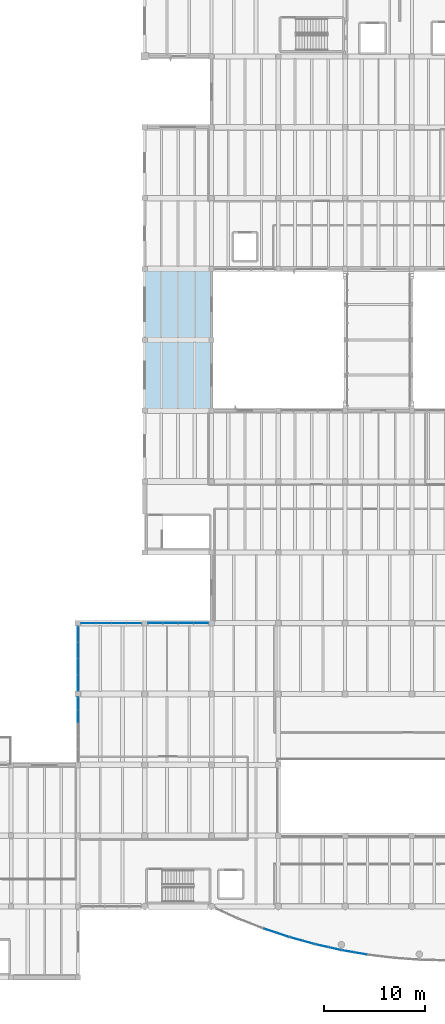
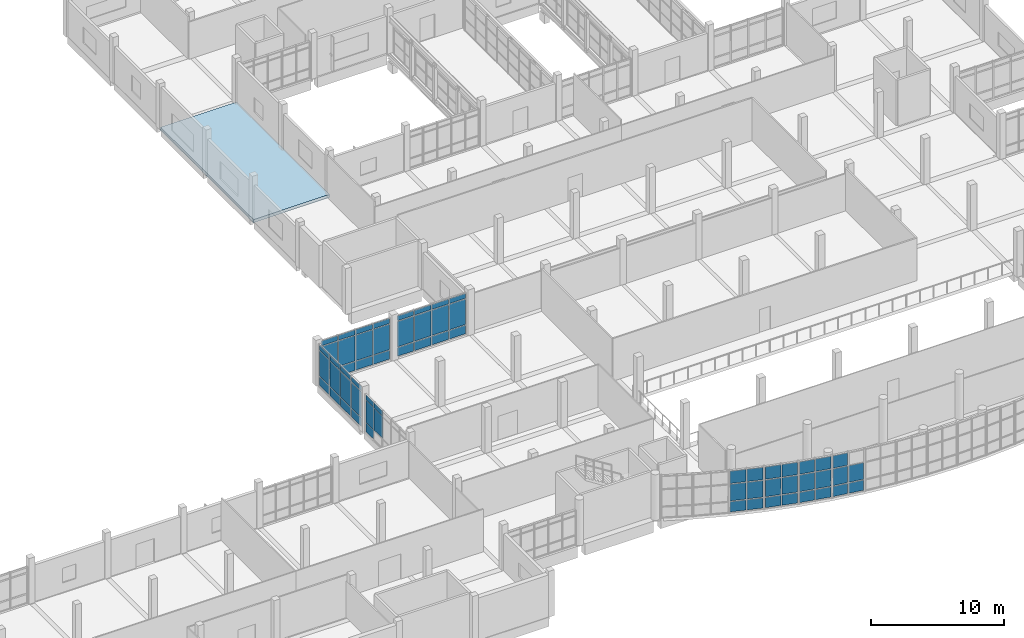
# One storey, part 36 of 65: 64 plates, 1 slab, 8 elements without a shape of their own.
"""IFC4 building model written with IfcOpenShell, lengths in metres."""

from ifc_helpers import new_model, si_unit, direction, frame, origin, origin_2d, place, context, subcontext, project, spatial, polyline, rectangle, outline, extrude, material, layer, layer_set, type_object, element, aggregate, save


model = new_model("IFC4")

# Units and contexts
model_context = context("Model", 3, precision=1e-05, world=origin(), true_north=direction((0.0, 1.0)))
body_context = subcontext(model_context, "Body", "Model", "MODEL_VIEW")
ifc_project = project(units=[si_unit("LENGTHUNIT", "METRE"), si_unit("AREAUNIT", "SQUARE_METRE"), si_unit("VOLUMEUNIT", "CUBIC_METRE"), si_unit("PLANEANGLEUNIT", "RADIAN"), si_unit("MASSUNIT", "GRAM", prefix="KILO")], contexts=[model_context])

# Site, building, storey
site_placement = place(None, origin())
site = spatial("IfcSite", under=ifc_project, at=site_placement, CompositionType="ELEMENT")
building_placement = place(site_placement, origin())
building = spatial("IfcBuilding", under=site, at=building_placement, Name="Ciguamira Faculty of Natural Sciences", CompositionType="ELEMENT")
storey_placement = place(building_placement, frame((0.0, 0.0, 12.60009765625)))
storey = spatial("IfcBuildingStorey", under=building, at=storey_placement, Name="L03", CompositionType="ELEMENT", Elevation=12.60009765625)

# Curtain wall, plates
ifc_material_1 = material(Name="Anodized aluminium curtain wall", Category="aluminium")
curtain_wall_type_1 = type_object("IfcCurtainWallType", Name="CurtainWall_CW-01", PredefinedType="USERDEFINED", material=ifc_material_1)
curtain_wall_1_placement = place(storey_placement, origin())
curtain_wall_1 = element("IfcCurtainWall", 1, at=curtain_wall_1_placement, inside=storey, type_object=curtain_wall_type_1, Name="L03 unitised curtain wall 0085", ObjectType="UNITISED CURTAIN WALL", PredefinedType="USERDEFINED")
ifc_material_2 = material(Name="Low-E laminated solar glass", Category="glass")
ifc_layer_1 = layer(ifc_material_2, 0.028076171875, Name="Low-E laminated solar glass")
ifc_layer_set_1 = layer_set([ifc_layer_1], Name="Low-E laminated solar glass")
plate_type_1 = type_object("IfcPlateType", Name="CWPanel_CWP-01", PredefinedType="CURTAIN_PANEL", material=ifc_layer_set_1)
plate_1_placement = place(storey_placement, frame((51.746337890625, 38.0, 0.059814453125), z_axis=(0.0, 0.0, 1.0), x_axis=(1.0, 0.0, 0.0)))
plate_1 = element("IfcPlate", 2, at=plate_1_placement, type_object=plate_type_1, Name="CW-01 panel 1.1", PredefinedType="CURTAIN_PANEL", context=body_context, shape_type="SweptSolid", body=[
    extrude(rectangle(XDim=1.422607421875, YDim=0.028076171875, at=origin_2d()), origin(), (0.0, 0.0, 1.0), 0.81005859375),
])
plate_2_placement = place(storey_placement, frame((51.746337890625, 38.0, 0.9296875), z_axis=(0.0, 0.0, 1.0), x_axis=(1.0, 0.0, 0.0)))
plate_2 = element("IfcPlate", 3, at=plate_2_placement, type_object=plate_type_1, Name="CW-01 panel 1.2", PredefinedType="CURTAIN_PANEL", context=body_context, shape_type="SweptSolid", body=[
    extrude(rectangle(XDim=1.422607421875, YDim=0.028076171875, at=origin_2d()), origin(), (0.0, 0.0, 1.0), 2.340087890625),
])
plate_3_placement = place(storey_placement, frame((51.746337890625, 38.0, 3.329833984375), z_axis=(0.0, 0.0, 1.0), x_axis=(1.0, 0.0, 0.0)))
plate_3 = element("IfcPlate", 4, at=plate_3_placement, type_object=plate_type_1, Name="CW-01 panel 1.3", PredefinedType="CURTAIN_PANEL", context=body_context, shape_type="SweptSolid", body=[
    extrude(rectangle(XDim=1.422607421875, YDim=0.028076171875, at=origin_2d()), origin(), (0.0, 0.0, 1.0), 0.4599609375),
])
plate_4_placement = place(storey_placement, frame((53.24365234375, 38.0, 0.059814453125), z_axis=(0.0, 0.0, 1.0), x_axis=(1.0, 0.0, 0.0)))
plate_4 = element("IfcPlate", 5, at=plate_4_placement, type_object=plate_type_1, Name="CW-01 panel 2.1", PredefinedType="CURTAIN_PANEL", context=body_context, shape_type="SweptSolid", body=[
    extrude(rectangle(XDim=1.452392578125, YDim=0.028076171875, at=origin_2d()), origin(), (0.0, 0.0, 1.0), 0.81005859375),
])
plate_5_placement = place(storey_placement, frame((53.24365234375, 38.0, 0.9296875), z_axis=(0.0, 0.0, 1.0), x_axis=(1.0, 0.0, 0.0)))
plate_5 = element("IfcPlate", 6, at=plate_5_placement, type_object=plate_type_1, Name="CW-01 panel 2.2", PredefinedType="CURTAIN_PANEL", context=body_context, shape_type="SweptSolid", body=[
    extrude(rectangle(XDim=1.452392578125, YDim=0.028076171875, at=origin_2d()), origin(), (0.0, 0.0, 1.0), 2.340087890625),
])
plate_6_placement = place(storey_placement, frame((53.24365234375, 38.0, 3.329833984375), z_axis=(0.0, 0.0, 1.0), x_axis=(1.0, 0.0, 0.0)))
plate_6 = element("IfcPlate", 7, at=plate_6_placement, type_object=plate_type_1, Name="CW-01 panel 2.3", PredefinedType="CURTAIN_PANEL", context=body_context, shape_type="SweptSolid", body=[
    extrude(rectangle(XDim=1.452392578125, YDim=0.028076171875, at=origin_2d()), origin(), (0.0, 0.0, 1.0), 0.4599609375),
])
plate_7_placement = place(storey_placement, frame((54.75634765625, 38.0, 0.059814453125), z_axis=(0.0, 0.0, 1.0), x_axis=(1.0, 0.0, 0.0)))
plate_7 = element("IfcPlate", 8, at=plate_7_placement, type_object=plate_type_1, Name="CW-01 panel 3.1", PredefinedType="CURTAIN_PANEL", context=body_context, shape_type="SweptSolid", body=[
    extrude(rectangle(XDim=1.452392578125, YDim=0.028076171875, at=origin_2d()), origin(), (0.0, 0.0, 1.0), 0.81005859375),
])
plate_8_placement = place(storey_placement, frame((54.75634765625, 38.0, 0.9296875), z_axis=(0.0, 0.0, 1.0), x_axis=(1.0, 0.0, 0.0)))
plate_8 = element("IfcPlate", 9, at=plate_8_placement, type_object=plate_type_1, Name="CW-01 panel 3.2", PredefinedType="CURTAIN_PANEL", context=body_context, shape_type="SweptSolid", body=[
    extrude(rectangle(XDim=1.452392578125, YDim=0.028076171875, at=origin_2d()), origin(), (0.0, 0.0, 1.0), 2.340087890625),
])
plate_9_placement = place(storey_placement, frame((54.75634765625, 38.0, 3.329833984375), z_axis=(0.0, 0.0, 1.0), x_axis=(1.0, 0.0, 0.0)))
plate_9 = element("IfcPlate", 10, at=plate_9_placement, type_object=plate_type_1, Name="CW-01 panel 3.3", PredefinedType="CURTAIN_PANEL", context=body_context, shape_type="SweptSolid", body=[
    extrude(rectangle(XDim=1.452392578125, YDim=0.028076171875, at=origin_2d()), origin(), (0.0, 0.0, 1.0), 0.4599609375),
])
plate_10_placement = place(storey_placement, frame((56.253662109375, 38.0, 0.059814453125), z_axis=(0.0, 0.0, 1.0), x_axis=(1.0, 0.0, 0.0)))
plate_10 = element("IfcPlate", 11, at=plate_10_placement, type_object=plate_type_1, Name="CW-01 panel 4.1", PredefinedType="CURTAIN_PANEL", context=body_context, shape_type="SweptSolid", body=[
    extrude(rectangle(XDim=1.422607421875, YDim=0.028076171875, at=origin_2d()), origin(), (0.0, 0.0, 1.0), 0.81005859375),
])
plate_11_placement = place(storey_placement, frame((56.253662109375, 38.0, 0.9296875), z_axis=(0.0, 0.0, 1.0), x_axis=(1.0, 0.0, 0.0)))
plate_11 = element("IfcPlate", 12, at=plate_11_placement, type_object=plate_type_1, Name="CW-01 panel 4.2", PredefinedType="CURTAIN_PANEL", context=body_context, shape_type="SweptSolid", body=[
    extrude(rectangle(XDim=1.422607421875, YDim=0.028076171875, at=origin_2d()), origin(), (0.0, 0.0, 1.0), 2.340087890625),
])
plate_12_placement = place(storey_placement, frame((56.253662109375, 38.0, 3.329833984375), z_axis=(0.0, 0.0, 1.0), x_axis=(1.0, 0.0, 0.0)))
plate_12 = element("IfcPlate", 13, at=plate_12_placement, type_object=plate_type_1, Name="CW-01 panel 4.3", PredefinedType="CURTAIN_PANEL", context=body_context, shape_type="SweptSolid", body=[
    extrude(rectangle(XDim=1.422607421875, YDim=0.028076171875, at=origin_2d()), origin(), (0.0, 0.0, 1.0), 0.4599609375),
])
aggregate(curtain_wall_1, [plate_1, plate_2, plate_3, plate_4, plate_5, plate_6, plate_7, plate_8, plate_9, plate_10, plate_11, plate_12])

curtain_wall_type_2 = type_object("IfcCurtainWallType", Name="CurtainWall_CW-05", PredefinedType="USERDEFINED", material=ifc_material_1)
curtain_wall_2_placement = place(storey_placement, origin())
curtain_wall_2 = element("IfcCurtainWall", 14, at=curtain_wall_2_placement, inside=storey, type_object=curtain_wall_type_2, Name="L03 unitised curtain wall 0101", ObjectType="UNITISED CURTAIN WALL", PredefinedType="USERDEFINED")
plate_13_placement = place(storey_placement, frame((50.699951171875, 32.0986328125, 0.06982421875), z_axis=(0.0, 0.0, 1.0), x_axis=(0.0, 1.0, 0.0)))
plate_13 = element("IfcPlate", 15, at=plate_13_placement, type_object=plate_type_1, Name="CW-05 panel 1.1", PredefinedType="CURTAIN_PANEL", context=body_context, shape_type="SweptSolid", body=[
    extrude(rectangle(XDim=1.507568359375, YDim=0.028076171875, at=origin_2d()), origin(), (0.0, 0.0, 1.0), 0.794921875),
])
plate_14_placement = place(storey_placement, frame((50.699951171875, 32.0986328125, 0.934814453125), z_axis=(0.0, 0.0, 1.0), x_axis=(0.0, 1.0, 0.0)))
plate_14 = element("IfcPlate", 16, at=plate_14_placement, type_object=plate_type_1, Name="CW-05 panel 1.2", PredefinedType="CURTAIN_PANEL", context=body_context, shape_type="SweptSolid", body=[
    extrude(rectangle(XDim=1.507568359375, YDim=0.028076171875, at=origin_2d()), origin(), (0.0, 0.0, 1.0), 2.330078125),
])
plate_15_placement = place(storey_placement, frame((50.699951171875, 32.0986328125, 3.3349609375), z_axis=(0.0, 0.0, 1.0), x_axis=(0.0, 1.0, 0.0)))
plate_15 = element("IfcPlate", 17, at=plate_15_placement, type_object=plate_type_1, Name="CW-05 panel 1.3", PredefinedType="CURTAIN_PANEL", context=body_context, shape_type="SweptSolid", body=[
    extrude(rectangle(XDim=1.507568359375, YDim=0.028076171875, at=origin_2d()), origin(), (0.0, 0.0, 1.0), 0.445068359375),
])
plate_16_placement = place(storey_placement, frame((50.699951171875, 33.69384765625, 0.06982421875), z_axis=(0.0, 0.0, 1.0), x_axis=(0.0, 1.0, 0.0)))
plate_16 = element("IfcPlate", 18, at=plate_16_placement, type_object=plate_type_1, Name="CW-05 panel 2.1", PredefinedType="CURTAIN_PANEL", context=body_context, shape_type="SweptSolid", body=[
    extrude(rectangle(XDim=1.54248046875, YDim=0.028076171875, at=origin_2d()), origin(), (0.0, 0.0, 1.0), 0.794921875),
])
plate_17_placement = place(storey_placement, frame((50.699951171875, 33.69384765625, 0.934814453125), z_axis=(0.0, 0.0, 1.0), x_axis=(0.0, 1.0, 0.0)))
plate_17 = element("IfcPlate", 19, at=plate_17_placement, type_object=plate_type_1, Name="CW-05 panel 2.2", PredefinedType="CURTAIN_PANEL", context=body_context, shape_type="SweptSolid", body=[
    extrude(rectangle(XDim=1.54248046875, YDim=0.028076171875, at=origin_2d()), origin(), (0.0, 0.0, 1.0), 2.330078125),
])
plate_18_placement = place(storey_placement, frame((50.699951171875, 33.69384765625, 3.3349609375), z_axis=(0.0, 0.0, 1.0), x_axis=(0.0, 1.0, 0.0)))
plate_18 = element("IfcPlate", 20, at=plate_18_placement, type_object=plate_type_1, Name="CW-05 panel 2.3", PredefinedType="CURTAIN_PANEL", context=body_context, shape_type="SweptSolid", body=[
    extrude(rectangle(XDim=1.54248046875, YDim=0.028076171875, at=origin_2d()), origin(), (0.0, 0.0, 1.0), 0.445068359375),
])
plate_19_placement = place(storey_placement, frame((50.699951171875, 35.30615234375, 0.06982421875), z_axis=(0.0, 0.0, 1.0), x_axis=(0.0, 1.0, 0.0)))
plate_19 = element("IfcPlate", 21, at=plate_19_placement, type_object=plate_type_1, Name="CW-05 panel 3.1", PredefinedType="CURTAIN_PANEL", context=body_context, shape_type="SweptSolid", body=[
    extrude(rectangle(XDim=1.54248046875, YDim=0.028076171875, at=origin_2d()), origin(), (0.0, 0.0, 1.0), 0.794921875),
])
plate_20_placement = place(storey_placement, frame((50.699951171875, 35.30615234375, 0.934814453125), z_axis=(0.0, 0.0, 1.0), x_axis=(0.0, 1.0, 0.0)))
plate_20 = element("IfcPlate", 22, at=plate_20_placement, type_object=plate_type_1, Name="CW-05 panel 3.2", PredefinedType="CURTAIN_PANEL", context=body_context, shape_type="SweptSolid", body=[
    extrude(rectangle(XDim=1.54248046875, YDim=0.028076171875, at=origin_2d()), origin(), (0.0, 0.0, 1.0), 2.330078125),
])
plate_21_placement = place(storey_placement, frame((50.699951171875, 35.30615234375, 3.3349609375), z_axis=(0.0, 0.0, 1.0), x_axis=(0.0, 1.0, 0.0)))
plate_21 = element("IfcPlate", 23, at=plate_21_placement, type_object=plate_type_1, Name="CW-05 panel 3.3", PredefinedType="CURTAIN_PANEL", context=body_context, shape_type="SweptSolid", body=[
    extrude(rectangle(XDim=1.54248046875, YDim=0.028076171875, at=origin_2d()), origin(), (0.0, 0.0, 1.0), 0.445068359375),
])
plate_22_placement = place(storey_placement, frame((50.699951171875, 36.9013671875, 0.06982421875), z_axis=(0.0, 0.0, 1.0), x_axis=(0.0, 1.0, 0.0)))
plate_22 = element("IfcPlate", 24, at=plate_22_placement, type_object=plate_type_1, Name="CW-05 panel 4.1", PredefinedType="CURTAIN_PANEL", context=body_context, shape_type="SweptSolid", body=[
    extrude(rectangle(XDim=1.507568359375, YDim=0.028076171875, at=origin_2d()), origin(), (0.0, 0.0, 1.0), 0.794921875),
])
plate_23_placement = place(storey_placement, frame((50.699951171875, 36.9013671875, 0.934814453125), z_axis=(0.0, 0.0, 1.0), x_axis=(0.0, 1.0, 0.0)))
plate_23 = element("IfcPlate", 25, at=plate_23_placement, type_object=plate_type_1, Name="CW-05 panel 4.2", PredefinedType="CURTAIN_PANEL", context=body_context, shape_type="SweptSolid", body=[
    extrude(rectangle(XDim=1.507568359375, YDim=0.028076171875, at=origin_2d()), origin(), (0.0, 0.0, 1.0), 2.330078125),
])
plate_24_placement = place(storey_placement, frame((50.699951171875, 36.9013671875, 3.3349609375), z_axis=(0.0, 0.0, 1.0), x_axis=(0.0, 1.0, 0.0)))
plate_24 = element("IfcPlate", 26, at=plate_24_placement, type_object=plate_type_1, Name="CW-05 panel 4.3", PredefinedType="CURTAIN_PANEL", context=body_context, shape_type="SweptSolid", body=[
    extrude(rectangle(XDim=1.507568359375, YDim=0.028076171875, at=origin_2d()), origin(), (0.0, 0.0, 1.0), 0.445068359375),
])
aggregate(curtain_wall_2, [plate_13, plate_14, plate_15, plate_16, plate_17, plate_18, plate_19, plate_20, plate_21, plate_22, plate_23, plate_24])

curtain_wall_type_3 = type_object("IfcCurtainWallType", Name="CurtainWall_CW-02", PredefinedType="USERDEFINED", material=ifc_material_1)
curtain_wall_3_placement = place(storey_placement, origin())
curtain_wall_3 = element("IfcCurtainWall", 27, at=curtain_wall_3_placement, inside=storey, type_object=curtain_wall_type_3, Name="L03 south gallery curved curtain wall 03", ObjectType="UNITISED CURTAIN WALL", PredefinedType="USERDEFINED")
plate_25_placement = place(storey_placement, frame((69.69384765625, 7.609619140625, 0.080078125), z_axis=(0.0, 0.0, 1.0), x_axis=(0.948735033862, -0.316072516242, 0.0)))
plate_25 = element("IfcPlate", 28, at=plate_25_placement, type_object=plate_type_1, Name="CW-02 panel 1.1", PredefinedType="CURTAIN_PANEL", context=body_context, shape_type="SweptSolid", body=[
    extrude(rectangle(XDim=1.232666015625, YDim=0.028076171875, at=origin_2d()), origin(), (0.0, 0.0, 1.0), 0.929931640625),
])
plate_26_placement = place(storey_placement, frame((69.69384765625, 7.609619140625, 1.08984375), z_axis=(0.0, 0.0, 1.0), x_axis=(0.948735033862, -0.316072516242, 0.0)))
plate_26 = element("IfcPlate", 29, at=plate_26_placement, type_object=plate_type_1, Name="CW-02 panel 1.2", PredefinedType="CURTAIN_PANEL", context=body_context, shape_type="SweptSolid", body=[
    extrude(rectangle(XDim=1.232666015625, YDim=0.028076171875, at=origin_2d()), origin(), (0.0, 0.0, 1.0), 1.52001953125),
])
plate_27_placement = place(storey_placement, frame((69.69384765625, 7.609619140625, 2.68994140625), z_axis=(0.0, 0.0, 1.0), x_axis=(0.948735033862, -0.316072516242, 0.0)))
plate_27 = element("IfcPlate", 30, at=plate_27_placement, type_object=plate_type_1, Name="CW-02 panel 1.3", PredefinedType="CURTAIN_PANEL", context=body_context, shape_type="SweptSolid", body=[
    extrude(rectangle(XDim=1.232666015625, YDim=0.028076171875, at=origin_2d()), origin(), (0.0, 0.0, 1.0), 1.1298828125),
])
plate_28_placement = place(storey_placement, frame((70.939453125, 7.194580078125, 0.080078125), z_axis=(0.0, 0.0, 1.0), x_axis=(0.948735033862, -0.316072516242, 0.0)))
plate_28 = element("IfcPlate", 31, at=plate_28_placement, type_object=plate_type_1, Name="CW-02 panel 2.1", PredefinedType="CURTAIN_PANEL", context=body_context, shape_type="SweptSolid", body=[
    extrude(rectangle(XDim=1.232666015625, YDim=0.028076171875, at=origin_2d()), origin(), (0.0, 0.0, 1.0), 0.929931640625),
])
plate_29_placement = place(storey_placement, frame((70.939453125, 7.194580078125, 1.08984375), z_axis=(0.0, 0.0, 1.0), x_axis=(0.948735033862, -0.316072516242, 0.0)))
plate_29 = element("IfcPlate", 32, at=plate_29_placement, type_object=plate_type_1, Name="CW-02 panel 2.2", PredefinedType="CURTAIN_PANEL", context=body_context, shape_type="SweptSolid", body=[
    extrude(rectangle(XDim=1.232666015625, YDim=0.028076171875, at=origin_2d()), origin(), (0.0, 0.0, 1.0), 1.52001953125),
])
plate_30_placement = place(storey_placement, frame((70.939453125, 7.194580078125, 2.68994140625), z_axis=(0.0, 0.0, 1.0), x_axis=(0.948735033862, -0.316072516242, 0.0)))
plate_30 = element("IfcPlate", 33, at=plate_30_placement, type_object=plate_type_1, Name="CW-02 panel 2.3", PredefinedType="CURTAIN_PANEL", context=body_context, shape_type="SweptSolid", body=[
    extrude(rectangle(XDim=1.232666015625, YDim=0.028076171875, at=origin_2d()), origin(), (0.0, 0.0, 1.0), 1.1298828125),
])
aggregate(curtain_wall_3, [plate_25, plate_26, plate_27, plate_28, plate_29, plate_30])

curtain_wall_type_4 = type_object("IfcCurtainWallType", Name="CurtainWall_CW-03", PredefinedType="USERDEFINED", material=ifc_material_1)
curtain_wall_4_placement = place(storey_placement, origin())
curtain_wall_4 = element("IfcCurtainWall", 34, at=curtain_wall_4_placement, inside=storey, type_object=curtain_wall_type_4, Name="L03 south gallery curved curtain wall 04", ObjectType="UNITISED CURTAIN WALL", PredefinedType="USERDEFINED")
plate_31_placement = place(storey_placement, frame((72.260986328125, 6.791015625, 0.080078125), z_axis=(0.0, 0.0, 1.0), x_axis=(0.963573286652, -0.267444426472, 0.0)))
plate_31 = element("IfcPlate", 35, at=plate_31_placement, type_object=plate_type_1, Name="CW-03 panel 1.1", PredefinedType="CURTAIN_PANEL", context=body_context, shape_type="SweptSolid", body=[
    extrude(rectangle(XDim=1.2119140625, YDim=0.028076171875, at=origin_2d()), origin(), (0.0, 0.0, 1.0), 0.929931640625),
])
plate_32_placement = place(storey_placement, frame((72.260986328125, 6.791015625, 1.08984375), z_axis=(0.0, 0.0, 1.0), x_axis=(0.963573286652, -0.267444426472, 0.0)))
plate_32 = element("IfcPlate", 36, at=plate_32_placement, type_object=plate_type_1, Name="CW-03 panel 1.2", PredefinedType="CURTAIN_PANEL", context=body_context, shape_type="SweptSolid", body=[
    extrude(rectangle(XDim=1.2119140625, YDim=0.028076171875, at=origin_2d()), origin(), (0.0, 0.0, 1.0), 1.52001953125),
])
plate_33_placement = place(storey_placement, frame((72.260986328125, 6.791015625, 2.68994140625), z_axis=(0.0, 0.0, 1.0), x_axis=(0.963573286652, -0.267444426472, 0.0)))
plate_33 = element("IfcPlate", 37, at=plate_33_placement, type_object=plate_type_1, Name="CW-03 panel 1.3", PredefinedType="CURTAIN_PANEL", context=body_context, shape_type="SweptSolid", body=[
    extrude(rectangle(XDim=1.2119140625, YDim=0.028076171875, at=origin_2d()), origin(), (0.0, 0.0, 1.0), 1.1298828125),
])
plate_34_placement = place(storey_placement, frame((73.505859375, 6.445556640625, 0.080078125), z_axis=(0.0, 0.0, 1.0), x_axis=(0.963573286652, -0.267444426472, 0.0)))
plate_34 = element("IfcPlate", 38, at=plate_34_placement, type_object=plate_type_1, Name="CW-03 panel 2.1", PredefinedType="CURTAIN_PANEL", context=body_context, shape_type="SweptSolid", body=[
    extrude(rectangle(XDim=1.2119140625, YDim=0.028076171875, at=origin_2d()), origin(), (0.0, 0.0, 1.0), 0.929931640625),
])
plate_35_placement = place(storey_placement, frame((73.505859375, 6.445556640625, 1.08984375), z_axis=(0.0, 0.0, 1.0), x_axis=(0.963573286652, -0.267444426472, 0.0)))
plate_35 = element("IfcPlate", 39, at=plate_35_placement, type_object=plate_type_1, Name="CW-03 panel 2.2", PredefinedType="CURTAIN_PANEL", context=body_context, shape_type="SweptSolid", body=[
    extrude(rectangle(XDim=1.2119140625, YDim=0.028076171875, at=origin_2d()), origin(), (0.0, 0.0, 1.0), 1.52001953125),
])
plate_36_placement = place(storey_placement, frame((73.505859375, 6.445556640625, 2.68994140625), z_axis=(0.0, 0.0, 1.0), x_axis=(0.963573286652, -0.267444426472, 0.0)))
plate_36 = element("IfcPlate", 40, at=plate_36_placement, type_object=plate_type_1, Name="CW-03 panel 2.3", PredefinedType="CURTAIN_PANEL", context=body_context, shape_type="SweptSolid", body=[
    extrude(rectangle(XDim=1.2119140625, YDim=0.028076171875, at=origin_2d()), origin(), (0.0, 0.0, 1.0), 1.1298828125),
])
aggregate(curtain_wall_4, [plate_31, plate_32, plate_33, plate_34, plate_35, plate_36])

curtain_wall_type_5 = type_object("IfcCurtainWallType", Name="CurtainWall_CW-04", PredefinedType="USERDEFINED", material=ifc_material_1)
curtain_wall_5_placement = place(storey_placement, origin())
curtain_wall_5 = element("IfcCurtainWall", 41, at=curtain_wall_5_placement, inside=storey, type_object=curtain_wall_type_5, Name="L03 south gallery curved curtain wall 05", ObjectType="UNITISED CURTAIN WALL", PredefinedType="USERDEFINED")
plate_37_placement = place(storey_placement, frame((74.827880859375, 6.11376953125, 0.080078125), z_axis=(0.0, 0.0, 1.0), x_axis=(0.975762990759, -0.218830038763, 0.0)))
plate_37 = element("IfcPlate", 42, at=plate_37_placement, type_object=plate_type_1, Name="CW-04 panel 1.1", PredefinedType="CURTAIN_PANEL", context=body_context, shape_type="SweptSolid", body=[
    extrude(rectangle(XDim=1.195068359375, YDim=0.028076171875, at=origin_2d()), origin(), (0.0, 0.0, 1.0), 0.929931640625),
])
plate_38_placement = place(storey_placement, frame((74.827880859375, 6.11376953125, 1.08984375), z_axis=(0.0, 0.0, 1.0), x_axis=(0.975762990759, -0.218830038763, 0.0)))
plate_38 = element("IfcPlate", 43, at=plate_38_placement, type_object=plate_type_1, Name="CW-04 panel 1.2", PredefinedType="CURTAIN_PANEL", context=body_context, shape_type="SweptSolid", body=[
    extrude(rectangle(XDim=1.195068359375, YDim=0.028076171875, at=origin_2d()), origin(), (0.0, 0.0, 1.0), 1.52001953125),
])
plate_39_placement = place(storey_placement, frame((74.827880859375, 6.11376953125, 2.68994140625), z_axis=(0.0, 0.0, 1.0), x_axis=(0.975762990759, -0.218830038763, 0.0)))
plate_39 = element("IfcPlate", 44, at=plate_39_placement, type_object=plate_type_1, Name="CW-04 panel 1.3", PredefinedType="CURTAIN_PANEL", context=body_context, shape_type="SweptSolid", body=[
    extrude(rectangle(XDim=1.195068359375, YDim=0.028076171875, at=origin_2d()), origin(), (0.0, 0.0, 1.0), 1.1298828125),
])
plate_40_placement = place(storey_placement, frame((76.072021484375, 5.834716796875, 0.080078125), z_axis=(0.0, 0.0, 1.0), x_axis=(0.975762990759, -0.218830038763, 0.0)))
plate_40 = element("IfcPlate", 45, at=plate_40_placement, type_object=plate_type_1, Name="CW-04 panel 2.1", PredefinedType="CURTAIN_PANEL", context=body_context, shape_type="SweptSolid", body=[
    extrude(rectangle(XDim=1.195068359375, YDim=0.028076171875, at=origin_2d()), origin(), (0.0, 0.0, 1.0), 0.929931640625),
])
plate_41_placement = place(storey_placement, frame((76.072021484375, 5.834716796875, 1.08984375), z_axis=(0.0, 0.0, 1.0), x_axis=(0.975762990759, -0.218830038763, 0.0)))
plate_41 = element("IfcPlate", 46, at=plate_41_placement, type_object=plate_type_1, Name="CW-04 panel 2.2", PredefinedType="CURTAIN_PANEL", context=body_context, shape_type="SweptSolid", body=[
    extrude(rectangle(XDim=1.195068359375, YDim=0.028076171875, at=origin_2d()), origin(), (0.0, 0.0, 1.0), 1.52001953125),
])
plate_42_placement = place(storey_placement, frame((76.072021484375, 5.834716796875, 2.68994140625), z_axis=(0.0, 0.0, 1.0), x_axis=(0.975762990759, -0.218830038763, 0.0)))
plate_42 = element("IfcPlate", 47, at=plate_42_placement, type_object=plate_type_1, Name="CW-04 panel 2.3", PredefinedType="CURTAIN_PANEL", context=body_context, shape_type="SweptSolid", body=[
    extrude(rectangle(XDim=1.195068359375, YDim=0.028076171875, at=origin_2d()), origin(), (0.0, 0.0, 1.0), 1.1298828125),
])
aggregate(curtain_wall_5, [plate_37, plate_38, plate_39, plate_40, plate_41, plate_42])

curtain_wall_6_placement = place(storey_placement, origin())
curtain_wall_6 = element("IfcCurtainWall", 48, at=curtain_wall_6_placement, inside=storey, type_object=curtain_wall_type_2, Name="L03 south gallery curved curtain wall 06", ObjectType="UNITISED CURTAIN WALL", PredefinedType="USERDEFINED")
plate_43_placement = place(storey_placement, frame((77.394775390625, 5.572265625, 0.080078125), z_axis=(0.0, 0.0, 1.0), x_axis=(0.985410865099, -0.170192323402, 0.0)))
plate_43 = element("IfcPlate", 49, at=plate_43_placement, type_object=plate_type_1, Name="CW-05 panel 1.1", PredefinedType="CURTAIN_PANEL", context=body_context, shape_type="SweptSolid", body=[
    extrude(rectangle(XDim=1.182373046875, YDim=0.028076171875, at=origin_2d()), origin(), (0.0, 0.0, 1.0), 0.929931640625),
])
plate_44_placement = place(storey_placement, frame((77.394775390625, 5.572265625, 1.08984375), z_axis=(0.0, 0.0, 1.0), x_axis=(0.985410865099, -0.170192323402, 0.0)))
plate_44 = element("IfcPlate", 50, at=plate_44_placement, type_object=plate_type_1, Name="CW-05 panel 1.2", PredefinedType="CURTAIN_PANEL", context=body_context, shape_type="SweptSolid", body=[
    extrude(rectangle(XDim=1.182373046875, YDim=0.028076171875, at=origin_2d()), origin(), (0.0, 0.0, 1.0), 1.52001953125),
])
plate_45_placement = place(storey_placement, frame((77.394775390625, 5.572265625, 2.68994140625), z_axis=(0.0, 0.0, 1.0), x_axis=(0.985410865099, -0.170192323402, 0.0)))
plate_45 = element("IfcPlate", 51, at=plate_45_placement, type_object=plate_type_1, Name="CW-05 panel 1.3", PredefinedType="CURTAIN_PANEL", context=body_context, shape_type="SweptSolid", body=[
    extrude(rectangle(XDim=1.182373046875, YDim=0.028076171875, at=origin_2d()), origin(), (0.0, 0.0, 1.0), 1.1298828125),
])
plate_46_placement = place(storey_placement, frame((78.638671875, 5.357421875, 0.080078125), z_axis=(0.0, 0.0, 1.0), x_axis=(0.985410865099, -0.170192323402, 0.0)))
plate_46 = element("IfcPlate", 52, at=plate_46_placement, type_object=plate_type_1, Name="CW-05 panel 2.1", PredefinedType="CURTAIN_PANEL", context=body_context, shape_type="SweptSolid", body=[
    extrude(rectangle(XDim=1.182373046875, YDim=0.028076171875, at=origin_2d()), origin(), (0.0, 0.0, 1.0), 0.929931640625),
])
plate_47_placement = place(storey_placement, frame((78.638671875, 5.357421875, 1.08984375), z_axis=(0.0, 0.0, 1.0), x_axis=(0.985410865099, -0.170192323402, 0.0)))
plate_47 = element("IfcPlate", 53, at=plate_47_placement, type_object=plate_type_1, Name="CW-05 panel 2.2", PredefinedType="CURTAIN_PANEL", context=body_context, shape_type="SweptSolid", body=[
    extrude(rectangle(XDim=1.182373046875, YDim=0.028076171875, at=origin_2d()), origin(), (0.0, 0.0, 1.0), 1.52001953125),
])
aggregate(curtain_wall_6, [plate_43, plate_44, plate_45, plate_46, plate_47])

curtain_wall_7_placement = place(storey_placement, origin())
curtain_wall_7 = element("IfcCurtainWall", 54, at=curtain_wall_7_placement, inside=storey, type_object=curtain_wall_type_3, Name="L03 unitised curtain wall 0086", ObjectType="UNITISED CURTAIN WALL", PredefinedType="USERDEFINED")
ifc_layer_2 = layer(ifc_material_2, 0.035888671875, Name="Low-E laminated solar glass")
ifc_layer_set_2 = layer_set([ifc_layer_2], Name="Low-E laminated solar glass")
plate_type_2 = type_object("IfcPlateType", Name="CWPanel_CWP-02", PredefinedType="CURTAIN_PANEL", material=ifc_layer_set_2)
plate_48_placement = place(storey_placement, frame((58.3486328125, 38.0, 0.06982421875), z_axis=(0.0, 0.0, 1.0), x_axis=(1.0, 0.0, 0.0)))
plate_48 = element("IfcPlate", 55, at=plate_48_placement, type_object=plate_type_2, Name="CW-02 panel 1.1", PredefinedType="CURTAIN_PANEL", context=body_context, shape_type="SweptSolid", body=[
    extrude(rectangle(XDim=1.407470703125, YDim=0.035888671875, at=origin_2d()), origin(), (0.0, 0.0, 1.0), 0.794921875),
])
plate_49_placement = place(storey_placement, frame((58.3486328125, 38.0, 0.934814453125), z_axis=(0.0, 0.0, 1.0), x_axis=(1.0, 0.0, 0.0)))
plate_49 = element("IfcPlate", 56, at=plate_49_placement, type_object=plate_type_2, Name="CW-02 panel 1.2", PredefinedType="CURTAIN_PANEL", context=body_context, shape_type="SweptSolid", body=[
    extrude(rectangle(XDim=1.407470703125, YDim=0.035888671875, at=origin_2d()), origin(), (0.0, 0.0, 1.0), 2.330078125),
])
plate_50_placement = place(storey_placement, frame((58.3486328125, 38.0, 3.3349609375), z_axis=(0.0, 0.0, 1.0), x_axis=(1.0, 0.0, 0.0)))
plate_50 = element("IfcPlate", 57, at=plate_50_placement, type_object=plate_type_2, Name="CW-02 panel 1.3", PredefinedType="CURTAIN_PANEL", context=body_context, shape_type="SweptSolid", body=[
    extrude(rectangle(XDim=1.407470703125, YDim=0.035888671875, at=origin_2d()), origin(), (0.0, 0.0, 1.0), 0.445068359375),
])
plate_51_placement = place(storey_placement, frame((59.84375, 38.0, 0.06982421875), z_axis=(0.0, 0.0, 1.0), x_axis=(1.0, 0.0, 0.0)))
plate_51 = element("IfcPlate", 58, at=plate_51_placement, type_object=plate_type_2, Name="CW-02 panel 2.1", PredefinedType="CURTAIN_PANEL", context=body_context, shape_type="SweptSolid", body=[
    extrude(rectangle(XDim=1.4423828125, YDim=0.035888671875, at=origin_2d()), origin(), (0.0, 0.0, 1.0), 0.794921875),
])
plate_52_placement = place(storey_placement, frame((59.84375, 38.0, 0.934814453125), z_axis=(0.0, 0.0, 1.0), x_axis=(1.0, 0.0, 0.0)))
plate_52 = element("IfcPlate", 59, at=plate_52_placement, type_object=plate_type_2, Name="CW-02 panel 2.2", PredefinedType="CURTAIN_PANEL", context=body_context, shape_type="SweptSolid", body=[
    extrude(rectangle(XDim=1.4423828125, YDim=0.035888671875, at=origin_2d()), origin(), (0.0, 0.0, 1.0), 2.330078125),
])
plate_53_placement = place(storey_placement, frame((59.84375, 38.0, 3.3349609375), z_axis=(0.0, 0.0, 1.0), x_axis=(1.0, 0.0, 0.0)))
plate_53 = element("IfcPlate", 60, at=plate_53_placement, type_object=plate_type_2, Name="CW-02 panel 2.3", PredefinedType="CURTAIN_PANEL", context=body_context, shape_type="SweptSolid", body=[
    extrude(rectangle(XDim=1.4423828125, YDim=0.035888671875, at=origin_2d()), origin(), (0.0, 0.0, 1.0), 0.445068359375),
])
plate_54_placement = place(storey_placement, frame((61.356201171875, 38.0, 0.06982421875), z_axis=(0.0, 0.0, 1.0), x_axis=(1.0, 0.0, 0.0)))
plate_54 = element("IfcPlate", 61, at=plate_54_placement, type_object=plate_type_2, Name="CW-02 panel 3.1", PredefinedType="CURTAIN_PANEL", context=body_context, shape_type="SweptSolid", body=[
    extrude(rectangle(XDim=1.4423828125, YDim=0.035888671875, at=origin_2d()), origin(), (0.0, 0.0, 1.0), 0.794921875),
])
plate_55_placement = place(storey_placement, frame((61.356201171875, 38.0, 0.934814453125), z_axis=(0.0, 0.0, 1.0), x_axis=(1.0, 0.0, 0.0)))
plate_55 = element("IfcPlate", 62, at=plate_55_placement, type_object=plate_type_2, Name="CW-02 panel 3.2", PredefinedType="CURTAIN_PANEL", context=body_context, shape_type="SweptSolid", body=[
    extrude(rectangle(XDim=1.4423828125, YDim=0.035888671875, at=origin_2d()), origin(), (0.0, 0.0, 1.0), 2.330078125),
])
plate_56_placement = place(storey_placement, frame((61.356201171875, 38.0, 3.3349609375), z_axis=(0.0, 0.0, 1.0), x_axis=(1.0, 0.0, 0.0)))
plate_56 = element("IfcPlate", 63, at=plate_56_placement, type_object=plate_type_2, Name="CW-02 panel 3.3", PredefinedType="CURTAIN_PANEL", context=body_context, shape_type="SweptSolid", body=[
    extrude(rectangle(XDim=1.4423828125, YDim=0.035888671875, at=origin_2d()), origin(), (0.0, 0.0, 1.0), 0.445068359375),
])
plate_57_placement = place(storey_placement, frame((62.851318359375, 38.0, 0.06982421875), z_axis=(0.0, 0.0, 1.0), x_axis=(1.0, 0.0, 0.0)))
plate_57 = element("IfcPlate", 64, at=plate_57_placement, type_object=plate_type_2, Name="CW-02 panel 4.1", PredefinedType="CURTAIN_PANEL", context=body_context, shape_type="SweptSolid", body=[
    extrude(rectangle(XDim=1.407470703125, YDim=0.035888671875, at=origin_2d()), origin(), (0.0, 0.0, 1.0), 0.794921875),
])
plate_58_placement = place(storey_placement, frame((62.851318359375, 38.0, 0.934814453125), z_axis=(0.0, 0.0, 1.0), x_axis=(1.0, 0.0, 0.0)))
plate_58 = element("IfcPlate", 65, at=plate_58_placement, type_object=plate_type_2, Name="CW-02 panel 4.2", PredefinedType="CURTAIN_PANEL", context=body_context, shape_type="SweptSolid", body=[
    extrude(rectangle(XDim=1.407470703125, YDim=0.035888671875, at=origin_2d()), origin(), (0.0, 0.0, 1.0), 2.330078125),
])
plate_59_placement = place(storey_placement, frame((62.851318359375, 38.0, 3.3349609375), z_axis=(0.0, 0.0, 1.0), x_axis=(1.0, 0.0, 0.0)))
plate_59 = element("IfcPlate", 66, at=plate_59_placement, type_object=plate_type_2, Name="CW-02 panel 4.3", PredefinedType="CURTAIN_PANEL", context=body_context, shape_type="SweptSolid", body=[
    extrude(rectangle(XDim=1.407470703125, YDim=0.035888671875, at=origin_2d()), origin(), (0.0, 0.0, 1.0), 0.445068359375),
])
aggregate(curtain_wall_7, [plate_48, plate_49, plate_50, plate_51, plate_52, plate_53, plate_54, plate_55, plate_56, plate_57, plate_58, plate_59])

curtain_wall_8_placement = place(storey_placement, origin())
curtain_wall_8 = element("IfcCurtainWall", 67, at=curtain_wall_8_placement, inside=storey, type_object=curtain_wall_type_5, Name="L03 unitised curtain wall 0100", ObjectType="UNITISED CURTAIN WALL", PredefinedType="USERDEFINED")
plate_60_placement = place(storey_placement, frame((50.699951171875, 28.782470703125, 0.929931640625), z_axis=(0.0, 0.0, 1.0), x_axis=(0.0, 1.0, 0.0)))
plate_60 = element("IfcPlate", 68, at=plate_60_placement, type_object=plate_type_2, Name="CW-04 panel 4.2", PredefinedType="CURTAIN_PANEL", context=body_context, shape_type="SweptSolid", body=[
    extrude(rectangle(XDim=1.235107421875, YDim=0.035888671875, at=origin_2d()), origin(), (0.0, 0.0, 1.0), 1.9951171875),
])
plate_61_placement = place(storey_placement, frame((50.699951171875, 28.782470703125, 2.98486328125), z_axis=(0.0, 0.0, 1.0), x_axis=(0.0, 1.0, 0.0)))
plate_61 = element("IfcPlate", 69, at=plate_61_placement, type_object=plate_type_2, Name="CW-04 panel 4.3", PredefinedType="CURTAIN_PANEL", context=body_context, shape_type="SweptSolid", body=[
    extrude(rectangle(XDim=1.235107421875, YDim=0.035888671875, at=origin_2d()), origin(), (0.0, 0.0, 1.0), 0.4599609375),
])
plate_62_placement = place(storey_placement, frame((50.699951171875, 30.0625, 0.059814453125), z_axis=(0.0, 0.0, 1.0), x_axis=(0.0, 1.0, 0.0)))
plate_62 = element("IfcPlate", 70, at=plate_62_placement, type_object=plate_type_2, Name="CW-04 panel 5.1", PredefinedType="CURTAIN_PANEL", context=body_context, shape_type="SweptSolid", body=[
    extrude(rectangle(XDim=1.205078125, YDim=0.035888671875, at=origin_2d()), origin(), (0.0, 0.0, 1.0), 0.81005859375),
])
plate_63_placement = place(storey_placement, frame((50.699951171875, 30.0625, 0.929931640625), z_axis=(0.0, 0.0, 1.0), x_axis=(0.0, 1.0, 0.0)))
plate_63 = element("IfcPlate", 71, at=plate_63_placement, type_object=plate_type_2, Name="CW-04 panel 5.2", PredefinedType="CURTAIN_PANEL", context=body_context, shape_type="SweptSolid", body=[
    extrude(rectangle(XDim=1.205078125, YDim=0.035888671875, at=origin_2d()), origin(), (0.0, 0.0, 1.0), 1.9951171875),
])
plate_64_placement = place(storey_placement, frame((50.699951171875, 30.0625, 2.98486328125), z_axis=(0.0, 0.0, 1.0), x_axis=(0.0, 1.0, 0.0)))
plate_64 = element("IfcPlate", 72, at=plate_64_placement, type_object=plate_type_2, Name="CW-04 panel 5.3", PredefinedType="CURTAIN_PANEL", context=body_context, shape_type="SweptSolid", body=[
    extrude(rectangle(XDim=1.205078125, YDim=0.035888671875, at=origin_2d()), origin(), (0.0, 0.0, 1.0), 0.4599609375),
])
aggregate(curtain_wall_8, [plate_60, plate_61, plate_62, plate_63, plate_64])

# Slab
ifc_material_3 = material(Name="Concrete C40/50", Category="concrete")
ifc_layer_3 = layer(ifc_material_3, 0.280029296875, Name="Concrete C40/50")
ifc_layer_set_3 = layer_set([ifc_layer_3], Name="Concrete C40/50")
slab_type = type_object("IfcSlabType", Name="Slab_SF-03_280", PredefinedType="FLOOR", material=ifc_layer_set_3)
slab_placement = place(storey_placement, frame((0.0, 0.0, -0.280029296875)))
element("IfcSlab", 73, at=slab_placement, inside=storey, type_object=slab_type, Name="L03 V4W structural slab", PredefinedType="FLOOR", context=body_context, shape_type="SweptSolid", body=[
    extrude(outline(polyline([(57.300048828125, 59.0), (63.89990234375, 59.0), (63.89990234375, 73.0), (57.300048828125, 73.0), (57.300048828125, 59.0)])), origin(), (0.0, 0.0, 1.0), 0.280029296875),
])

save(model, "model.ifc")
